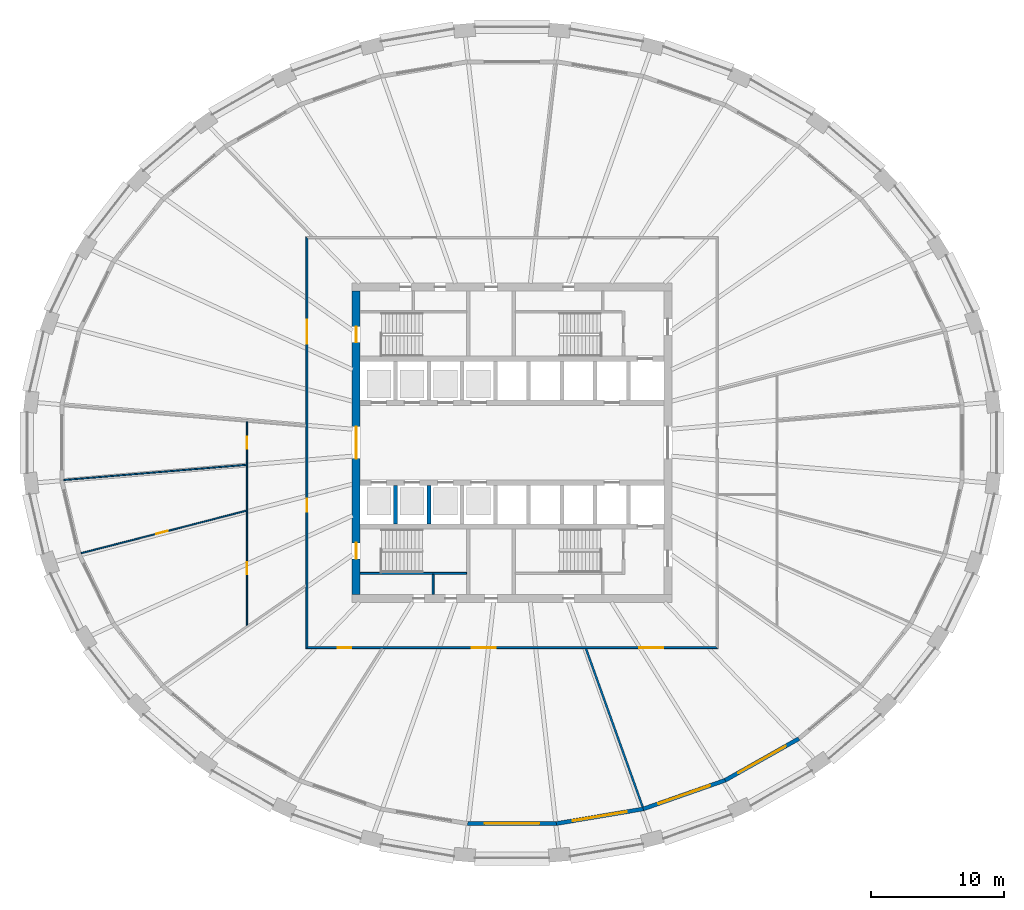
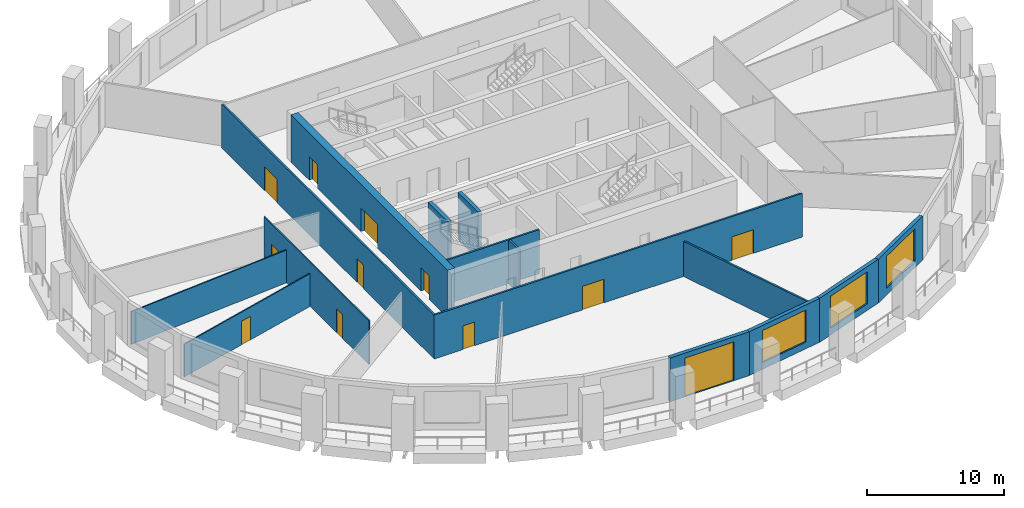
# One storey, part 3 of 11: 15 walls, 12 doors, 3 windows, 15 openings.
"""IFC4 building model written with IfcOpenShell, lengths in metres."""

from ifc_helpers import new_model, si_unit, direction, frame, frame_2d, origin, place, context, subcontext, project, spatial, polyline, rectangle, outline, extrude, material, layer, layer_set, type_object, element, fill, save


model = new_model("IFC4")

# Units and contexts
model_context = context("Model", 3, precision=1e-05, world=origin(), true_north=direction((0.0, 1.0)))
body_context = subcontext(model_context, "Body", "Model", "MODEL_VIEW")
ifc_project = project(units=[si_unit("LENGTHUNIT", "METRE"), si_unit("AREAUNIT", "SQUARE_METRE"), si_unit("VOLUMEUNIT", "CUBIC_METRE"), si_unit("PLANEANGLEUNIT", "RADIAN"), si_unit("MASSUNIT", "GRAM", prefix="KILO")], contexts=[model_context])

# Site, building, storey
site_placement = place(None, origin())
site = spatial("IfcSite", under=ifc_project, at=site_placement, CompositionType="ELEMENT")
building_placement = place(site_placement, origin())
building = spatial("IfcBuilding", under=site, at=building_placement, Name="Halqa Exchange Tower", CompositionType="ELEMENT")
storey_placement = place(building_placement, frame((0.0, 0.0, 82.300048828125)))
storey = spatial("IfcBuildingStorey", under=building, at=storey_placement, Name="L18", CompositionType="ELEMENT", Elevation=82.300048828125)

# Wall, openings, doors
ifc_material_1 = material(Name="Fire-rated gypsum board")
ifc_layer_1 = layer(ifc_material_1, 0.14990234375)
ifc_layer_set_1 = layer_set([ifc_layer_1], Name="Fire-rated gypsum board")
wall_type_1 = type_object("IfcWallType", Name="Fire partition EI 60 150", PredefinedType="PARTITIONING", material=ifc_layer_set_1)
wall_1_placement = place(storey_placement, frame((-15.39990234375, -15.47509765625, 0.0), z_axis=(0.0, 0.0, 1.0), x_axis=(0.0, 1.0, 0.0)))
wall_1 = element("IfcWall", 1, at=wall_1_placement, inside=storey, type_object=wall_type_1, Name="L18-PWL-006", PredefinedType="PARTITIONING", context=body_context, shape_type="SweptSolid", body=[
    extrude(outline(polyline([(0.150146484375, -0.074951171875), (2.065673828125, -0.074951171875), (3.9814453125, -0.074951171875), (5.89697265625, -0.074951171875), (7.8125, -0.074951171875), (9.728271484375, -0.074951171875), (11.643798828125, -0.074951171875), (13.5595703125, -0.074951171875), (15.47509765625, -0.074951171875), (17.390625, -0.074951171875), (19.306396484375, -0.074951171875), (21.221923828125, -0.074951171875), (23.1376953125, -0.074951171875), (25.05322265625, -0.074951171875), (26.96875, -0.074951171875), (28.884521484375, -0.074951171875), (30.800048828125, -0.074951171875), (30.949951171875, 0.074951171875), (29.015625, 0.074951171875), (27.081298828125, 0.074951171875), (25.14697265625, 0.074951171875), (23.21240234375, 0.074951171875), (21.278076171875, 0.074951171875), (19.34375, 0.074951171875), (17.409423828125, 0.074951171875), (15.47509765625, 0.074951171875), (13.540771484375, 0.074951171875), (11.6064453125, 0.074951171875), (9.672119140625, 0.074951171875), (7.73779296875, 0.074951171875), (5.80322265625, 0.074951171875), (3.868896484375, 0.074951171875), (1.9345703125, 0.074951171875), (0.000244140625, 0.074951171875), (0.150146484375, -0.074951171875)])), origin(), (0.0, 0.0, 1.0), 3.89990234375),
])
opening_1_placement = place(wall_1_placement, frame((10.27490234375, 0.0, 0.0)))
opening_1 = element("IfcOpeningElement", 2, at=opening_1_placement, cuts=wall_1, Name="Opening 05-01", PredefinedType="OPENING", context=body_context, shape_type="SweptSolid", body=[
    extrude(rectangle(XDim=1.0, YDim=2.10009765625, at=frame_2d((0.5, 1.050048828125))), frame((0.0, 0.0869140625, 0.0), z_axis=(0.0, -1.0, 0.0), x_axis=(1.0, 0.0, 0.0)), (0.0, 0.0, 1.0), 0.173828125),
])
opening_2_placement = place(wall_1_placement, frame((22.9150390625, 0.0, 0.0)))
opening_2 = element("IfcOpeningElement", 3, at=opening_2_placement, cuts=wall_1, Name="Opening 05-10", PredefinedType="OPENING", context=body_context, shape_type="SweptSolid", body=[
    extrude(rectangle(XDim=1.800048828125, YDim=2.10009765625, at=frame_2d((0.89990234375, 1.050048828125))), frame((0.0, 0.0869140625, 0.0), z_axis=(0.0, -1.0, 0.0), x_axis=(1.0, 0.0, 0.0)), (0.0, 0.0, 1.0), 0.173828125),
])
ifc_material_2 = material(Name="Steel fire door leaf", Category="steel")
door_type_1 = type_object("IfcDoorType", Name="Fire door FD30S 1000 x 2100", OperationType="SINGLE_SWING_LEFT", PredefinedType="DOOR", material=ifc_material_2)
door_1_placement = place(opening_1_placement, origin())
door_1 = element("IfcDoor", 4, at=door_1_placement, inside=storey, type_object=door_type_1, Name="L18-IDR-001", OperationType="SINGLE_SWING_RIGHT", OverallHeight=2.10009765625, OverallWidth=1.0, PredefinedType="DOOR", context=body_context, shape_type="SweptSolid", body=[
    extrude(rectangle(XDim=1.0, YDim=2.10009765625, at=frame_2d((0.5, 1.050048828125))), frame((0.0, 0.02490234375, 0.0), z_axis=(0.0, -1.0, 0.0), x_axis=(1.0, 0.0, 0.0)), (0.0, 0.0, 1.0), 0.050048828125),
])
fill(opening_1, door_1)
door_type_2 = type_object("IfcDoorType", Name="Fire door FD30S double 1800 x 2100", OperationType="DOUBLE_DOOR_SINGLE_SWING", PredefinedType="DOOR", material=ifc_material_2)
door_2_placement = place(opening_2_placement, origin())
door_2 = element("IfcDoor", 5, at=door_2_placement, inside=storey, type_object=door_type_2, Name="L18-IDR-010", OperationType="DOUBLE_DOOR_SINGLE_SWING", OverallHeight=2.10009765625, OverallWidth=1.800048828125, PredefinedType="DOOR", context=body_context, shape_type="SweptSolid", body=[
    extrude(rectangle(XDim=1.800048828125, YDim=2.10009765625, at=frame_2d((0.89990234375, 1.050048828125))), frame((0.0, 0.02490234375, 0.0), z_axis=(0.0, -1.0, 0.0), x_axis=(1.0, 0.0, 0.0)), (0.0, 0.0, 1.0), 0.050048828125),
])
fill(opening_2, door_2)

wall_2_placement = place(storey_placement, frame((-15.47509765625, -15.39990234375, 0.0), z_axis=(0.0, 0.0, 1.0), x_axis=(1.0, 0.0, 0.0)))
wall_2 = element("IfcWall", 6, at=wall_2_placement, inside=storey, type_object=wall_type_1, Name="L18-PWL-007", PredefinedType="PARTITIONING", context=body_context, shape_type="SweptSolid", body=[
    extrude(outline(polyline([(0.000244140625, -0.074951171875), (1.9345703125, -0.074951171875), (3.868896484375, -0.074951171875), (5.80322265625, -0.074951171875), (7.73779296875, -0.074951171875), (9.672119140625, -0.074951171875), (11.6064453125, -0.074951171875), (13.540771484375, -0.074951171875), (15.47509765625, -0.074951171875), (17.409423828125, -0.074951171875), (19.34375, -0.074951171875), (21.278076171875, -0.074951171875), (23.21240234375, -0.074951171875), (25.14697265625, -0.074951171875), (27.081298828125, -0.074951171875), (29.015625, -0.074951171875), (30.949951171875, -0.074951171875), (30.800048828125, 0.074951171875), (28.884521484375, 0.074951171875), (26.96875, 0.074951171875), (25.05322265625, 0.074951171875), (23.1376953125, 0.074951171875), (21.221923828125, 0.074951171875), (19.306396484375, 0.074951171875), (17.390625, 0.074951171875), (15.47509765625, 0.074951171875), (13.5595703125, 0.074951171875), (11.643798828125, 0.074951171875), (9.728271484375, 0.074951171875), (7.8125, 0.074951171875), (5.89697265625, 0.074951171875), (3.9814453125, 0.074951171875), (2.065673828125, 0.074951171875), (0.150146484375, 0.074951171875), (0.000244140625, -0.074951171875)])), origin(), (0.0, 0.0, 1.0), 3.89990234375),
])
opening_3_placement = place(wall_2_placement, frame((2.405029296875, 0.0, 0.0)))
opening_3 = element("IfcOpeningElement", 7, at=opening_3_placement, cuts=wall_2, Name="Opening 05-02", PredefinedType="OPENING", context=body_context, shape_type="SweptSolid", body=[
    extrude(rectangle(XDim=1.0, YDim=2.10009765625, at=frame_2d((0.5, 1.050048828125))), frame((0.0, 0.0869140625, 0.0), z_axis=(0.0, -1.0, 0.0), x_axis=(1.0, 0.0, 0.0)), (0.0, 0.0, 1.0), 0.173828125),
])
opening_4_placement = place(wall_2_placement, frame((12.469970703125, 0.0, 0.0)))
opening_4 = element("IfcOpeningElement", 8, at=opening_4_placement, cuts=wall_2, Name="Opening 05-03", PredefinedType="OPENING", context=body_context, shape_type="SweptSolid", body=[
    extrude(rectangle(XDim=1.800048828125, YDim=2.10009765625, at=frame_2d((0.89990234375, 1.050048828125))), frame((0.0, 0.0869140625, 0.0), z_axis=(0.0, -1.0, 0.0), x_axis=(1.0, 0.0, 0.0)), (0.0, 0.0, 1.0), 0.173828125),
])
opening_5_placement = place(wall_2_placement, frame((25.0400390625, 0.0, 0.0)))
opening_5 = element("IfcOpeningElement", 9, at=opening_5_placement, cuts=wall_2, Name="Opening 05-04", PredefinedType="OPENING", context=body_context, shape_type="SweptSolid", body=[
    extrude(rectangle(XDim=1.800048828125, YDim=2.10009765625, at=frame_2d((0.89990234375, 1.050048828125))), frame((0.0, 0.0869140625, 0.0), z_axis=(0.0, -1.0, 0.0), x_axis=(1.0, 0.0, 0.0)), (0.0, 0.0, 1.0), 0.173828125),
])
door_3_placement = place(opening_3_placement, frame((1.0, 0.0, 0.0), z_axis=(0.0, 0.0, 1.0), x_axis=(-1.0, 0.0, 0.0)))
door_3 = element("IfcDoor", 10, at=door_3_placement, inside=storey, type_object=door_type_1, Name="L18-IDR-002", OperationType="SINGLE_SWING_RIGHT", OverallHeight=2.10009765625, OverallWidth=1.0, PredefinedType="DOOR", context=body_context, shape_type="SweptSolid", body=[
    extrude(rectangle(XDim=1.0, YDim=2.10009765625, at=frame_2d((0.5, 1.050048828125))), frame((0.0, 0.02490234375, 0.0), z_axis=(0.0, -1.0, 0.0), x_axis=(1.0, 0.0, 0.0)), (0.0, 0.0, 1.0), 0.050048828125),
])
fill(opening_3, door_3)
door_4_placement = place(opening_4_placement, frame((1.800048828125, 0.0, 0.0), z_axis=(0.0, 0.0, 1.0), x_axis=(-1.0, 0.0, 0.0)))
door_4 = element("IfcDoor", 11, at=door_4_placement, inside=storey, type_object=door_type_2, Name="L18-IDR-003", OperationType="DOUBLE_DOOR_SINGLE_SWING", OverallHeight=2.10009765625, OverallWidth=1.800048828125, PredefinedType="DOOR", context=body_context, shape_type="SweptSolid", body=[
    extrude(rectangle(XDim=1.800048828125, YDim=2.10009765625, at=frame_2d((0.89990234375, 1.050048828125))), frame((0.0, 0.02490234375, 0.0), z_axis=(0.0, -1.0, 0.0), x_axis=(1.0, 0.0, 0.0)), (0.0, 0.0, 1.0), 0.050048828125),
])
fill(opening_4, door_4)
door_5_placement = place(opening_5_placement, frame((1.800048828125, 0.0, 0.0), z_axis=(0.0, 0.0, 1.0), x_axis=(-1.0, 0.0, 0.0)))
door_5 = element("IfcDoor", 12, at=door_5_placement, inside=storey, type_object=door_type_2, Name="L18-IDR-004", OperationType="DOUBLE_DOOR_SINGLE_SWING", OverallHeight=2.10009765625, OverallWidth=1.800048828125, PredefinedType="DOOR", context=body_context, shape_type="SweptSolid", body=[
    extrude(rectangle(XDim=1.800048828125, YDim=2.10009765625, at=frame_2d((0.89990234375, 1.050048828125))), frame((0.0, 0.02490234375, 0.0), z_axis=(0.0, -1.0, 0.0), x_axis=(1.0, 0.0, 0.0)), (0.0, 0.0, 1.0), 0.050048828125),
])
fill(opening_5, door_5)

# Wall
wall_3_placement = place(storey_placement, frame((5.5478515625, -15.449951171875, 0.0), z_axis=(0.0, 0.0, 1.0), x_axis=(0.337357475529, -0.941376616294, 0.0)))
element("IfcWall", 13, at=wall_3_placement, inside=storey, type_object=wall_type_1, Name="L18-PWL-012", PredefinedType="PARTITIONING", context=body_context, shape_type="SweptSolid", body=[
    extrude(outline(polyline([(0.0, -0.074951171875), (1.806640625, -0.074951171875), (3.61328125, -0.074951171875), (5.419921875, -0.074951171875), (7.226318359375, -0.074951171875), (9.032958984375, -0.074951171875), (10.839599609375, -0.074951171875), (12.646240234375, -0.074951171875), (12.66015625, 0.002197265625), (12.66015625, 0.018310546875), (12.66015625, 0.074951171875), (10.859130859375, 0.074951171875), (9.058349609375, 0.074951171875), (7.25732421875, 0.074951171875), (5.456298828125, 0.074951171875), (3.6552734375, 0.074951171875), (1.8544921875, 0.074951171875), (0.053466796875, 0.074951171875), (0.0, -0.07421875), (0.0, -0.074951171875)])), origin(), (0.0, 0.0, 1.0), 3.1298828125),
])

# Wall, openings, doors
ifc_material_3 = material(Name="Gypsum board")
ifc_layer_2 = layer(ifc_material_3, 0.10009765625)
ifc_layer_set_2 = layer_set([ifc_layer_2], Name="Gypsum board")
wall_type_2 = type_object("IfcWallType", Name="Partition 100 gypsum", PredefinedType="PARTITIONING", material=ifc_layer_set_2)
wall_4_placement = place(storey_placement, frame((-19.89990234375, -13.744384765625, 0.0), z_axis=(0.0, 0.0, 1.0), x_axis=(0.0, 1.0, 0.0)))
wall_4 = element("IfcWall", 14, at=wall_4_placement, inside=storey, type_object=wall_type_2, Name="L18-PWL-003", PredefinedType="PARTITIONING", context=body_context, shape_type="SweptSolid", body=[
    extrude(outline(polyline([(0.069091796875, -0.050048828125), (1.9755859375, -0.050048828125), (3.882080078125, -0.050048828125), (5.788330078125, -0.050048828125), (7.69482421875, -0.050048828125), (9.601318359375, -0.050048828125), (11.5078125, -0.050048828125), (13.4140625, -0.050048828125), (15.320556640625, -0.050048828125), (15.328857421875, 0.04931640625), (15.328857421875, 0.050048828125), (13.6435546875, 0.050048828125), (11.958251953125, 0.050048828125), (10.27294921875, 0.050048828125), (8.587646484375, 0.050048828125), (8.580322265625, 0.048095703125), (8.579833984375, 0.050048828125), (6.864013671875, 0.050048828125), (5.14794921875, 0.050048828125), (3.431884765625, 0.050048828125), (1.716064453125, 0.050048828125), (0.0, 0.050048828125), (0.0, 0.049560546875), (0.069091796875, -0.050048828125)])), origin(), (0.0, 0.0, 1.0), 3.89990234375),
])
opening_6_placement = place(wall_4_placement, frame((3.844482421875, 0.0, 0.0)))
opening_6 = element("IfcOpeningElement", 15, at=opening_6_placement, cuts=wall_4, Name="Opening 05-11", PredefinedType="OPENING", context=body_context, shape_type="SweptSolid", body=[
    extrude(rectangle(XDim=0.89990234375, YDim=2.10009765625, at=frame_2d((0.449951171875, 1.050048828125))), frame((0.0, 0.06201171875, 0.0), z_axis=(0.0, -1.0, 0.0), x_axis=(1.0, 0.0, 0.0)), (0.0, 0.0, 1.0), 0.1240234375),
])
opening_7_placement = place(wall_4_placement, frame((13.29443359375, 0.0, 0.0)))
opening_7 = element("IfcOpeningElement", 16, at=opening_7_placement, cuts=wall_4, Name="Opening 05-12", PredefinedType="OPENING", context=body_context, shape_type="SweptSolid", body=[
    extrude(rectangle(XDim=0.89990234375, YDim=2.10009765625, at=frame_2d((0.449951171875, 1.050048828125))), frame((0.0, 0.06201171875, 0.0), z_axis=(0.0, -1.0, 0.0), x_axis=(1.0, 0.0, 0.0)), (0.0, 0.0, 1.0), 0.1240234375),
])
ifc_material_4 = material(Name="Timber door leaf", Category="wood")
door_type_3 = type_object("IfcDoorType", Name="Door 900 x 2100", OperationType="SINGLE_SWING_LEFT", PredefinedType="DOOR", material=ifc_material_4)
door_6_placement = place(opening_6_placement, frame((0.89990234375, 0.0, 0.0), z_axis=(0.0, 0.0, 1.0), x_axis=(-1.0, 0.0, 0.0)))
door_6 = element("IfcDoor", 17, at=door_6_placement, inside=storey, type_object=door_type_3, Name="L18-IDR-011", OperationType="SINGLE_SWING_LEFT", OverallHeight=2.10009765625, OverallWidth=0.89990234375, PredefinedType="DOOR", context=body_context, shape_type="SweptSolid", body=[
    extrude(rectangle(XDim=0.89990234375, YDim=2.10009765625, at=frame_2d((0.449951171875, 1.050048828125))), frame((0.0, 0.02490234375, 0.0), z_axis=(0.0, -1.0, 0.0), x_axis=(1.0, 0.0, 0.0)), (0.0, 0.0, 1.0), 0.050048828125),
])
fill(opening_6, door_6)
door_7_placement = place(opening_7_placement, frame((0.89990234375, 0.0, 0.0), z_axis=(0.0, 0.0, 1.0), x_axis=(-1.0, 0.0, 0.0)))
door_7 = element("IfcDoor", 18, at=door_7_placement, inside=storey, type_object=door_type_3, Name="L18-IDR-012", OperationType="SINGLE_SWING_RIGHT", OverallHeight=2.10009765625, OverallWidth=0.89990234375, PredefinedType="DOOR", context=body_context, shape_type="SweptSolid", body=[
    extrude(rectangle(XDim=0.89990234375, YDim=2.10009765625, at=frame_2d((0.449951171875, 1.050048828125))), frame((0.0, 0.02490234375, 0.0), z_axis=(0.0, -1.0, 0.0), x_axis=(1.0, 0.0, 0.0)), (0.0, 0.0, 1.0), 0.050048828125),
])
fill(opening_7, door_7)

# Wall, opening, door
wall_5_placement = place(storey_placement, frame((-19.937744140625, -5.109619140625, 0.0), z_axis=(0.0, 0.0, 1.0), x_axis=(-0.96855855203, -0.248785713594, 0.0)))
wall_5 = element("IfcWall", 19, at=wall_5_placement, inside=storey, type_object=wall_type_2, Name="L18-PWL-004", PredefinedType="PARTITIONING", context=body_context, shape_type="SweptSolid", body=[
    extrude(outline(polyline([(12.838623046875, -0.050048828125), (12.838623046875, 0.0048828125), (12.829345703125, 0.050048828125), (11.000244140625, 0.050048828125), (9.171142578125, 0.050048828125), (7.342041015625, 0.050048828125), (5.512939453125, 0.050048828125), (3.683837890625, 0.050048828125), (1.854736328125, 0.050048828125), (0.025390625, 0.050048828125), (0.0, -0.04931640625), (0.0, -0.050048828125), (1.833984375, -0.050048828125), (3.668212890625, -0.050048828125), (5.502197265625, -0.050048828125), (7.33642578125, -0.050048828125), (9.17041015625, -0.050048828125), (11.004638671875, -0.050048828125), (12.838623046875, -0.050048828125)])), origin(), (0.0, 0.0, 1.0), 2.909912109375),
])
opening_8_placement = place(wall_5_placement, frame((6.103271484375, 0.0, 0.0)))
opening_8 = element("IfcOpeningElement", 20, at=opening_8_placement, cuts=wall_5, Name="Opening 05-13", PredefinedType="OPENING", context=body_context, shape_type="SweptSolid", body=[
    extrude(rectangle(XDim=0.89990234375, YDim=2.10009765625, at=frame_2d((0.449951171875, 1.050048828125))), frame((0.0, 0.06201171875, 0.0), z_axis=(0.0, -1.0, 0.0), x_axis=(1.0, 0.0, 0.0)), (0.0, 0.0, 1.0), 0.1240234375),
])
door_8_placement = place(opening_8_placement, frame((0.89990234375, 0.0, 0.0), z_axis=(0.0, 0.0, 1.0), x_axis=(-1.0, 0.0, 0.0)))
door_8 = element("IfcDoor", 21, at=door_8_placement, inside=storey, type_object=door_type_3, Name="L18-IDR-013", OperationType="SINGLE_SWING_RIGHT", OverallHeight=2.10009765625, OverallWidth=0.89990234375, PredefinedType="DOOR", context=body_context, shape_type="SweptSolid", body=[
    extrude(rectangle(XDim=0.89990234375, YDim=2.10009765625, at=frame_2d((0.449951171875, 1.050048828125))), frame((0.0, 0.02490234375, 0.0), z_axis=(0.0, -1.0, 0.0), x_axis=(1.0, 0.0, 0.0)), (0.0, 0.0, 1.0), 0.050048828125),
])
fill(opening_8, door_8)

# Walls
wall_6_placement = place(storey_placement, frame((-19.9462890625, -1.663818359375, 0.0), z_axis=(0.0, 0.0, 1.0), x_axis=(-0.996559566172, -0.082879617945, 0.0)))
element("IfcWall", 22, at=wall_6_placement, inside=storey, type_object=wall_type_2, Name="L18-PWL-005", PredefinedType="PARTITIONING", context=body_context, shape_type="SweptSolid", body=[
    extrude(outline(polyline([(13.765380859375, -0.050048828125), (13.765380859375, 0.0263671875), (13.761962890625, 0.050048828125), (11.797119140625, 0.050048828125), (9.83203125, 0.050048828125), (7.8671875, 0.050048828125), (5.90234375, 0.050048828125), (3.9375, 0.050048828125), (1.97265625, 0.050048828125), (0.0078125, 0.050048828125), (0.0, -0.044677734375), (0.0, -0.050048828125), (1.966552734375, -0.050048828125), (3.932861328125, -0.050048828125), (5.8994140625, -0.050048828125), (7.865966796875, -0.050048828125), (9.83251953125, -0.050048828125), (11.798828125, -0.050048828125), (13.765380859375, -0.050048828125)])), origin(), (0.0, 0.0, 1.0), 2.909912109375),
])
ifc_layer_3 = layer(ifc_material_3, 0.14990234375)
ifc_layer_set_3 = layer_set([ifc_layer_3], Name="Gypsum board")
wall_type_3 = type_object("IfcWallType", Name="Penthouse riser wall 150 gypsum", PredefinedType="PARTITIONING", material=ifc_layer_set_3)
wall_7_placement = place(storey_placement, frame((-5.925048828125, -11.39990234375, 0.0), z_axis=(0.0, 0.0, 1.0), x_axis=(0.0, 1.0, 0.0)))
element("IfcWall", 23, at=wall_7_placement, inside=storey, type_object=wall_type_3, Name="Partition W5.925 S", PredefinedType="PARTITIONING", context=body_context, shape_type="SweptSolid", body=[
    extrude(rectangle(XDim=1.5, YDim=0.14990234375, at=frame_2d((0.75, 0.0))), origin(), (0.0, 0.0, 1.0), 3.89990234375),
])
ifc_material_5 = material(Name="Concrete C60/75", Category="concrete")
ifc_layer_4 = layer(ifc_material_5, 0.300048828125)
ifc_layer_set_4 = layer_set([ifc_layer_4], Name="Concrete C60/75")
wall_type_4 = type_object("IfcWallType", Name="RC core wall 300", PredefinedType="SHEAR", material=ifc_layer_set_4)
for number, where, z_axis, x_axis, name in (
    (24, (-8.75, -6.10009765625, 0.0), (0.0, 0.0, 1.0), (0.0, 1.0, 0.0), "Shaft divider S1"),
    (25, (-6.25, -6.10009765625, 0.0), (0.0, 0.0, 1.0), (0.0, 1.0, 0.0), "Shaft divider S2"),
):
    element("IfcWall", number, at=place(storey_placement, frame(where, z_axis=z_axis, x_axis=x_axis)), inside=storey, type_object=wall_type_4, Name=name, PredefinedType="SHEAR", context=body_context, shape_type="SweptSolid", body=[
        extrude(rectangle(XDim=2.900146484375, YDim=0.300048828125, at=frame_2d((1.4501953125, 0.0))), origin(), (0.0, 0.0, 1.0), 4.199951171875),
    ])

# Wall, openings, doors
ifc_material_6 = material(Name="Concrete C80/95", Category="concrete")
ifc_layer_5 = layer(ifc_material_6, 0.60009765625)
ifc_layer_set_5 = layer_set([ifc_layer_5], Name="Concrete C80/95")
wall_type_5 = type_object("IfcWallType", Name="RC core wall 600 C80/95", PredefinedType="SHEAR", material=ifc_layer_set_5)
wall_8_placement = place(storey_placement, frame((-11.699951171875, -11.39990234375, 0.0), z_axis=(0.0, 0.0, 1.0), x_axis=(0.0, 1.0, 0.0)))
wall_8 = element("IfcWall", 26, at=wall_8_placement, inside=storey, type_object=wall_type_5, Name="Core wall west", PredefinedType="SHEAR", context=body_context, shape_type="SweptSolid", body=[
    extrude(rectangle(XDim=22.7998046875, YDim=0.60009765625, at=frame_2d((11.39990234375, 0.0))), origin(), (0.0, 0.0, 1.0), 4.199951171875),
])
opening_9_placement = place(wall_8_placement, frame((10.199951171875, 0.0, 0.0)))
opening_9 = element("IfcOpeningElement", 27, at=opening_9_placement, cuts=wall_8, Name="Opening T05-C13", PredefinedType="OPENING", context=body_context, shape_type="SweptSolid", body=[
    extrude(rectangle(XDim=2.39990234375, YDim=2.10009765625, at=frame_2d((1.199951171875, 1.050048828125))), frame((0.0, 0.31201171875, 0.0), z_axis=(0.0, -1.0, 0.0), x_axis=(1.0, 0.0, 0.0)), (0.0, 0.0, 1.0), 0.6240234375),
])
opening_10_placement = place(wall_8_placement, frame((18.925048828125, 0.0, 0.0)))
opening_10 = element("IfcOpeningElement", 28, at=opening_10_placement, cuts=wall_8, Name="Opening T05-C15", PredefinedType="OPENING", context=body_context, shape_type="SweptSolid", body=[
    extrude(rectangle(XDim=1.199951171875, YDim=2.10009765625, at=frame_2d((0.60009765625, 1.050048828125))), frame((0.0, 0.31201171875, 0.0), z_axis=(0.0, -1.0, 0.0), x_axis=(1.0, 0.0, 0.0)), (0.0, 0.0, 1.0), 0.6240234375),
])
opening_11_placement = place(wall_8_placement, frame((2.675048828125, 0.0, 0.0)))
opening_11 = element("IfcOpeningElement", 29, at=opening_11_placement, cuts=wall_8, Name="Opening T05-C17", PredefinedType="OPENING", context=body_context, shape_type="SweptSolid", body=[
    extrude(rectangle(XDim=1.199951171875, YDim=2.10009765625, at=frame_2d((0.60009765625, 1.050048828125))), frame((0.0, 0.31201171875, 0.0), z_axis=(0.0, -1.0, 0.0), x_axis=(1.0, 0.0, 0.0)), (0.0, 0.0, 1.0), 0.6240234375),
])
door_type_4 = type_object("IfcDoorType", Name="Lobby double door FD60 2400 x 2100", OperationType="DOUBLE_DOOR_SINGLE_SWING", PredefinedType="DOOR", material=ifc_material_2)
door_9_placement = place(opening_9_placement, frame((2.39990234375, 0.0, 0.0), z_axis=(0.0, 0.0, 1.0), x_axis=(-1.0, 0.0, 0.0)))
door_9 = element("IfcDoor", 30, at=door_9_placement, inside=storey, type_object=door_type_4, Name="Lift lobby double door", OperationType="DOUBLE_DOOR_SINGLE_SWING", OverallHeight=2.10009765625, OverallWidth=2.39990234375, PredefinedType="DOOR", context=body_context, shape_type="SweptSolid", body=[
    extrude(rectangle(XDim=2.39990234375, YDim=2.10009765625, at=frame_2d((1.199951171875, 1.050048828125))), frame((0.0, 0.02490234375, 0.0), z_axis=(0.0, -1.0, 0.0), x_axis=(1.0, 0.0, 0.0)), (0.0, 0.0, 1.0), 0.050048828125),
])
fill(opening_9, door_9)
door_type_5 = type_object("IfcDoorType", Name="Stair door FD90 1200 x 2100", OperationType="SINGLE_SWING_LEFT", PredefinedType="DOOR", material=ifc_material_2)
door_10_placement = place(opening_10_placement, frame((1.199951171875, 0.0, 0.0), z_axis=(0.0, 0.0, 1.0), x_axis=(-1.0, 0.0, 0.0)))
door_10 = element("IfcDoor", 31, at=door_10_placement, inside=storey, type_object=door_type_5, Name="Stair door ST1", OperationType="SINGLE_SWING_LEFT", OverallHeight=2.10009765625, OverallWidth=1.199951171875, PredefinedType="DOOR", context=body_context, shape_type="SweptSolid", body=[
    extrude(rectangle(XDim=1.199951171875, YDim=2.10009765625, at=frame_2d((0.60009765625, 1.050048828125))), frame((0.0, 0.02490234375, 0.0), z_axis=(0.0, -1.0, 0.0), x_axis=(1.0, 0.0, 0.0)), (0.0, 0.0, 1.0), 0.050048828125),
])
fill(opening_10, door_10)
door_11_placement = place(opening_11_placement, frame((1.199951171875, 0.0, 0.0), z_axis=(0.0, 0.0, 1.0), x_axis=(-1.0, 0.0, 0.0)))
door_11 = element("IfcDoor", 32, at=door_11_placement, inside=storey, type_object=door_type_5, Name="Stair door ST3", OperationType="SINGLE_SWING_LEFT", OverallHeight=2.10009765625, OverallWidth=1.199951171875, PredefinedType="DOOR", context=body_context, shape_type="SweptSolid", body=[
    extrude(rectangle(XDim=1.199951171875, YDim=2.10009765625, at=frame_2d((0.60009765625, 1.050048828125))), frame((0.0, 0.02490234375, 0.0), z_axis=(0.0, -1.0, 0.0), x_axis=(1.0, 0.0, 0.0)), (0.0, 0.0, 1.0), 0.050048828125),
])
fill(opening_11, door_11)

# Wall
ifc_material_7 = material(Name="Concrete C30/37", Category="concrete")
ifc_layer_6 = layer(ifc_material_7, 0.14990234375)
ifc_layer_set_6 = layer_set([ifc_layer_6], Name="Concrete C30/37")
wall_type_6 = type_object("IfcWallType", Name="RC stair wall 150 C30/37", PredefinedType="SHEAR", material=ifc_layer_set_6)
wall_9_placement = place(storey_placement, frame((-11.39990234375, -9.824951171875, 0.0), z_axis=(0.0, 0.0, 1.0), x_axis=(1.0, 0.0, 0.0)))
element("IfcWall", 33, at=wall_9_placement, inside=storey, type_object=wall_type_6, Name="Stair ST1 north wall S", PredefinedType="SHEAR", context=body_context, shape_type="SweptSolid", body=[
    extrude(rectangle(XDim=8.0, YDim=0.14990234375, at=frame_2d((4.0, 0.0))), origin(), (0.0, 0.0, 1.0), 3.89990234375),
])

# Wall, opening, door
ifc_material_8 = material(Name="Limestone cladding", Category="masonry")
ifc_layer_7 = layer(ifc_material_8, 0.0400390625)
ifc_material_9 = material(Name="Ventilated cavity")
ifc_layer_8 = layer(ifc_material_9, 0.030029296875, ventilated=True)
ifc_material_10 = material(Name="Mineral wool insulation")
ifc_layer_9 = layer(ifc_material_10, 0.10009765625)
ifc_layer_10 = layer(ifc_material_7, 0.10009765625)
ifc_material_11 = material(Name="Internal plaster")
ifc_layer_11 = layer(ifc_material_11, 0.030029296875)
ifc_layer_set_7 = layer_set([ifc_layer_7, ifc_layer_8, ifc_layer_9, ifc_layer_10, ifc_layer_11], Name="Stone-faced insulated wall 300")
wall_type_7 = type_object("IfcWallType", Name="Stone-faced insulated wall 300", PredefinedType="STANDARD", material=ifc_layer_set_7)
wall_10_placement = place(storey_placement, frame((-3.32861328125, -28.61083984375, 0.0), z_axis=(0.0, 0.0, 1.0), x_axis=(1.0, 0.0, 0.0)))
wall_10 = element("IfcWall", 34, at=wall_10_placement, inside=storey, type_object=wall_type_7, Name="Glass-line wall 24", PredefinedType="STANDARD", context=body_context, shape_type="SweptSolid", body=[
    extrude(outline(polyline([(-0.012451171875, -0.14990234375), (6.669677734375, -0.14990234375), (6.644775390625, 0.14990234375), (0.012451171875, 0.14990234375), (-0.012451171875, -0.14990234375)])), origin(), (0.0, 0.0, 1.0), 3.89990234375),
])
opening_12_placement = place(wall_10_placement, frame((1.278564453125, 0.0, 0.0)))
opening_12 = element("IfcOpeningElement", 35, at=opening_12_placement, cuts=wall_10, Name="Opening LG-F1-06", PredefinedType="OPENING", context=body_context, shape_type="SweptSolid", body=[
    extrude(rectangle(XDim=4.10009765625, YDim=3.449951171875, at=frame_2d((2.050048828125, 1.72509765625))), frame((0.0, 0.162109375, 0.0), z_axis=(0.0, -1.0, 0.0), x_axis=(1.0, 0.0, 0.0)), (0.0, 0.0, 1.0), 0.323974609375),
])
ifc_material_12 = material(Name="Clear low-emissivity glass in aluminium frame", Category="aluminium")
door_type_6 = type_object("IfcDoorType", Name="Glazed sliding loggia door 4100 x 3450", OperationType="DOUBLE_DOOR_SLIDING", PredefinedType="DOOR", material=ifc_material_12)
door_12_placement = place(opening_12_placement, origin())
door_12 = element("IfcDoor", 36, at=door_12_placement, inside=storey, type_object=door_type_6, Name="Loggia door 6", OperationType="DOUBLE_DOOR_SLIDING", OverallHeight=3.449951171875, OverallWidth=4.10009765625, PredefinedType="DOOR", context=body_context, shape_type="SweptSolid", body=[
    extrude(rectangle(XDim=4.10009765625, YDim=3.449951171875, at=frame_2d((2.050048828125, 1.72509765625))), frame((0.0, 0.02490234375, 0.0), z_axis=(0.0, -1.0, 0.0), x_axis=(1.0, 0.0, 0.0)), (0.0, 0.0, 1.0), 0.050048828125),
])
fill(opening_12, door_12)

# Wall, opening, window
wall_11_placement = place(storey_placement, frame((3.32861328125, -28.61083984375, 0.0), z_axis=(0.0, 0.0, 1.0), x_axis=(0.986157735925, 0.165809890767, 0.0)))
wall_11 = element("IfcWall", 37, at=wall_11_placement, inside=storey, type_object=wall_type_7, Name="Glass-line wall 25", PredefinedType="STANDARD", context=body_context, shape_type="SweptSolid", body=[
    extrude(outline(polyline([(-0.012451171875, -0.14990234375), (6.634033203125, -0.14990234375), (6.608642578125, 0.14990234375), (0.012451171875, 0.14990234375), (-0.012451171875, -0.14990234375)])), origin(), (0.0, 0.0, 1.0), 3.89990234375),
])
opening_13_placement = place(wall_11_placement, frame((1.2607421875, 0.0, 0.60009765625)))
opening_13 = element("IfcOpeningElement", 38, at=opening_13_placement, cuts=wall_11, Name="Opening W-F1-25", PredefinedType="OPENING", context=body_context, shape_type="SweptSolid", body=[
    extrude(rectangle(XDim=4.10009765625, YDim=2.85009765625, at=frame_2d((2.050048828125, 1.425048828125))), frame((0.0, 0.162109375, 0.0), z_axis=(0.0, -1.0, 0.0), x_axis=(1.0, 0.0, 0.0)), (0.0, 0.0, 1.0), 0.323974609375),
])
window_type = type_object("IfcWindowType", Name="Fixed clear glazed window 4100 x 2850", PartitioningType="TRIPLE_PANEL_VERTICAL", PredefinedType="WINDOW", material=ifc_material_12)
window_1_placement = place(opening_13_placement, origin())
window_1 = element("IfcWindow", 39, at=window_1_placement, inside=storey, type_object=window_type, Name="Window 1", OverallHeight=2.85009765625, OverallWidth=4.10009765625, PartitioningType="TRIPLE_PANEL_VERTICAL", PredefinedType="WINDOW", context=body_context, shape_type="SweptSolid", body=[
    extrude(rectangle(XDim=4.10009765625, YDim=2.85009765625, at=frame_2d((2.050048828125, 1.425048828125))), frame((0.0, 0.030029296875, 0.0), z_axis=(0.0, -1.0, 0.0), x_axis=(1.0, 0.0, 0.0)), (0.0, 0.0, 1.0), 0.06005859375),
])
fill(opening_13, window_1)

wall_12_placement = place(storey_placement, frame((9.8583984375, -27.512939453125, 0.0), z_axis=(0.0, 0.0, 1.0), x_axis=(0.943815136299, 0.330473884736, 0.0)))
wall_12 = element("IfcWall", 40, at=wall_12_placement, inside=storey, type_object=wall_type_7, Name="Glass-line wall 26", PredefinedType="STANDARD", context=body_context, shape_type="SweptSolid", body=[
    extrude(outline(polyline([(-0.0126953125, -0.14990234375), (6.531494140625, -0.14990234375), (6.504638671875, 0.14990234375), (0.0126953125, 0.14990234375), (-0.0126953125, -0.14990234375)])), origin(), (0.0, 0.0, 1.0), 3.89990234375),
])
opening_14_placement = place(wall_12_placement, frame((1.208984375, 0.0, 0.60009765625)))
opening_14 = element("IfcOpeningElement", 41, at=opening_14_placement, cuts=wall_12, Name="Opening W-F1-26", PredefinedType="OPENING", context=body_context, shape_type="SweptSolid", body=[
    extrude(rectangle(XDim=4.10009765625, YDim=2.85009765625, at=frame_2d((2.050048828125, 1.425048828125))), frame((0.0, 0.162109375, 0.0), z_axis=(0.0, -1.0, 0.0), x_axis=(1.0, 0.0, 0.0)), (0.0, 0.0, 1.0), 0.323974609375),
])
window_2_placement = place(opening_14_placement, origin())
window_2 = element("IfcWindow", 42, at=window_2_placement, inside=storey, type_object=window_type, Name="Window 1", OverallHeight=2.85009765625, OverallWidth=4.10009765625, PartitioningType="TRIPLE_PANEL_VERTICAL", PredefinedType="WINDOW", context=body_context, shape_type="SweptSolid", body=[
    extrude(rectangle(XDim=4.10009765625, YDim=2.85009765625, at=frame_2d((2.050048828125, 1.425048828125))), frame((0.0, 0.030029296875, 0.0), z_axis=(0.0, -1.0, 0.0), x_axis=(1.0, 0.0, 0.0)), (0.0, 0.0, 1.0), 0.06005859375),
])
fill(opening_14, window_2)

wall_13_placement = place(storey_placement, frame((16.01025390625, -25.35888671875, 0.0), z_axis=(0.0, 0.0, 1.0), x_axis=(0.870710061474, 0.491796694629, 0.0)))
wall_13 = element("IfcWall", 43, at=wall_13_placement, inside=storey, type_object=wall_type_7, Name="Glass-line wall 27", PredefinedType="STANDARD", context=body_context, shape_type="SweptSolid", body=[
    extrude(outline(polyline([(-0.013427734375, -0.14990234375), (6.374755859375, -0.14990234375), (6.346435546875, 0.14990234375), (0.013427734375, 0.14990234375), (-0.013427734375, -0.14990234375)])), origin(), (0.0, 0.0, 1.0), 3.89990234375),
])
opening_15_placement = place(wall_13_placement, frame((1.13037109375, 0.0, 0.60009765625)))
opening_15 = element("IfcOpeningElement", 44, at=opening_15_placement, cuts=wall_13, Name="Opening W-F1-27", PredefinedType="OPENING", context=body_context, shape_type="SweptSolid", body=[
    extrude(rectangle(XDim=4.10009765625, YDim=2.85009765625, at=frame_2d((2.050048828125, 1.425048828125))), frame((0.0, 0.162109375, 0.0), z_axis=(0.0, -1.0, 0.0), x_axis=(1.0, 0.0, 0.0)), (0.0, 0.0, 1.0), 0.323974609375),
])
window_3_placement = place(opening_15_placement, origin())
window_3 = element("IfcWindow", 45, at=window_3_placement, inside=storey, type_object=window_type, Name="Window 1", OverallHeight=2.85009765625, OverallWidth=4.10009765625, PartitioningType="TRIPLE_PANEL_VERTICAL", PredefinedType="WINDOW", context=body_context, shape_type="SweptSolid", body=[
    extrude(rectangle(XDim=4.10009765625, YDim=2.85009765625, at=frame_2d((2.050048828125, 1.425048828125))), frame((0.0, 0.030029296875, 0.0), z_axis=(0.0, -1.0, 0.0), x_axis=(1.0, 0.0, 0.0)), (0.0, 0.0, 1.0), 0.06005859375),
])
fill(opening_15, window_3)

save(model, "model.ifc")
